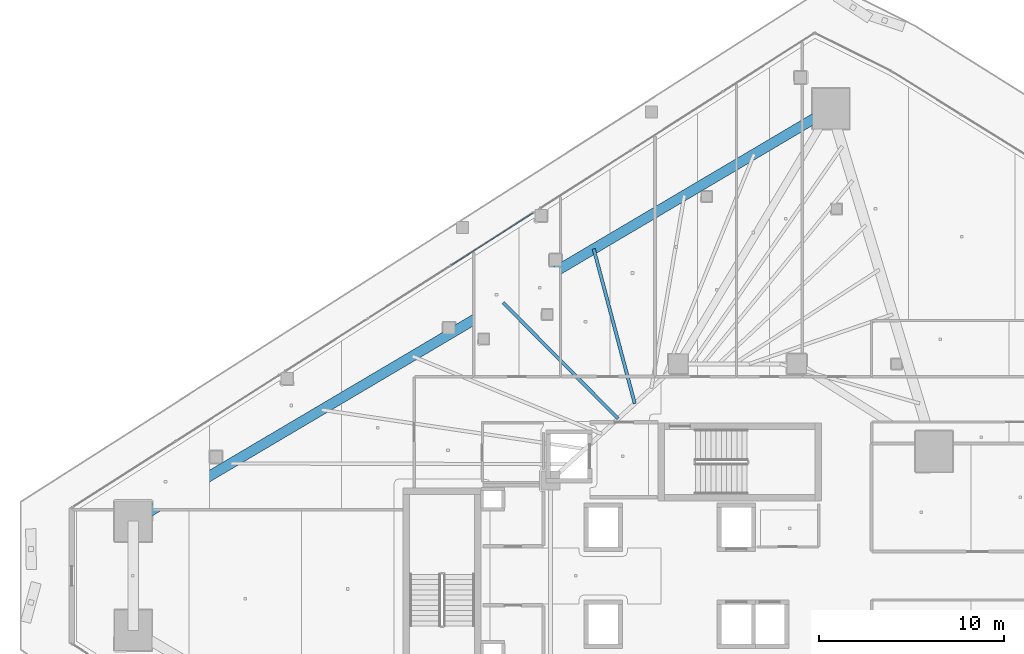
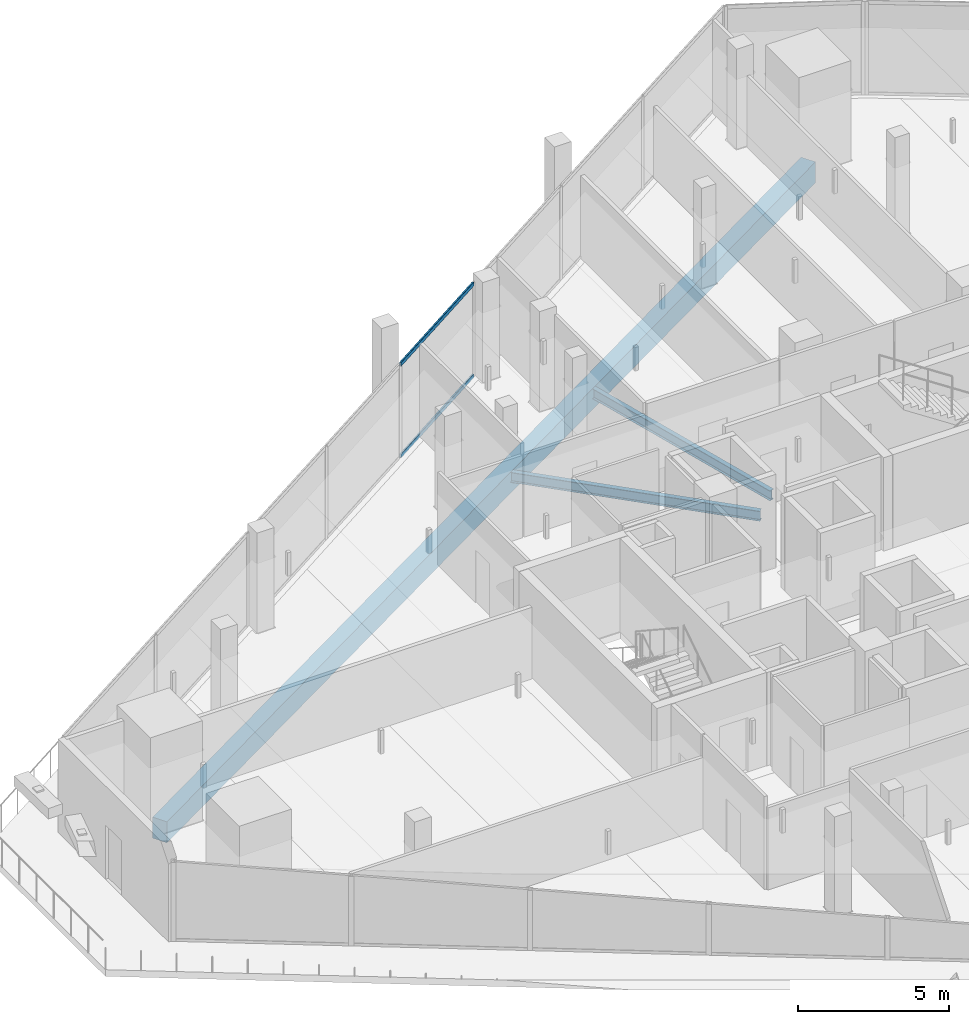
# One storey, part 17 of 39: 3 beams, 2 members, 1 element without a shape of its own.
"""IFC4 building model written with IfcOpenShell, lengths in metres."""

from ifc_helpers import new_model, si_unit, direction, frame, origin, origin_2d, place, context, subcontext, project, spatial, rectangle, hollow_rectangle, i_section, extrude, material, layer, layer_set, material_profile, profile_set, type_object, element, aggregate, save


model = new_model("IFC4")

# Units and contexts
model_context = context("Model", 3, precision=1e-05, world=origin(), true_north=direction((0.0, 1.0)))
body_context = subcontext(model_context, "Body", "Model", "MODEL_VIEW")
ifc_project = project(units=[si_unit("LENGTHUNIT", "METRE"), si_unit("AREAUNIT", "SQUARE_METRE"), si_unit("VOLUMEUNIT", "CUBIC_METRE"), si_unit("PLANEANGLEUNIT", "RADIAN"), si_unit("MASSUNIT", "GRAM", prefix="KILO")], contexts=[model_context])

# Site, building, storey
site_placement = place(None, origin())
site = spatial("IfcSite", under=ifc_project, at=site_placement, CompositionType="ELEMENT")
building_placement = place(site_placement, origin())
building = spatial("IfcBuilding", under=site, at=building_placement, Name="Qorvath Tower", CompositionType="ELEMENT")
storey_placement = place(building_placement, frame((0.0, 0.0, 162.449951171875)))
storey = spatial("IfcBuildingStorey", under=building, at=storey_placement, Name="L37", CompositionType="ELEMENT", Elevation=162.449951171875)

# Beams
ifc_material_1 = material(Name="Steel ASTM A992 Grade 50", Category="steel")
ifc_material_profile_1 = material_profile(ifc_material_1, i_section(OverallWidth=0.177978515625, OverallDepth=0.406005859375, WebThickness=0.0078125, FlangeThickness=0.0126953125, FilletRadius=0.010986328125, at=origin_2d()), Name="W16x40")
ifc_profile_set_1 = profile_set([ifc_material_profile_1], Name="Steel ASTM A992 Grade 50")
beam_type_1 = type_object("IfcBeamType", Name="BM-FJ3", PredefinedType="JOIST", material=ifc_profile_set_1)
beam_1_placement = place(storey_placement, frame((-26.843017578125, 8.489013671875, -0.47314453125), z_axis=(-0.70395121362, 0.710248328997, 0.0), x_axis=(-0.710248328997, -0.70395121362, 0.0)))
element("IfcBeam", 1, at=beam_1_placement, inside=storey, type_object=beam_type_1, Name="Composite Floor Joist NW4 L37", PredefinedType="JOIST", context=body_context, shape_type="SweptSolid", body=[
    extrude(i_section(OverallWidth=0.177978515625, OverallDepth=0.406005859375, WebThickness=0.0078125, FlangeThickness=0.0126953125, FilletRadius=0.010986328125, at=origin_2d()), origin(), (0.0, 0.0, 1.0), 8.839599609375),
])
beam_2_placement = place(storey_placement, frame((-25.946044921875, 9.30810546875, -0.47314453125), z_axis=(-0.256507909517, 0.966542131702, 0.0), x_axis=(-0.966542131702, -0.256507909517, 0.0)))
element("IfcBeam", 2, at=beam_2_placement, inside=storey, type_object=beam_type_1, Name="Composite Floor Joist NW5 L37", PredefinedType="JOIST", context=body_context, shape_type="SweptSolid", body=[
    extrude(i_section(OverallWidth=0.177978515625, OverallDepth=0.406005859375, WebThickness=0.0078125, FlangeThickness=0.0126953125, FilletRadius=0.010986328125, at=origin_2d()), origin(), (0.0, 0.0, 1.0), 8.64697265625),
])
ifc_material_2 = material(Name="Concrete C50/60", Category="concrete")
ifc_material_profile_2 = material_profile(ifc_material_2, rectangle(XDim=0.550048828125, YDim=0.85009765625, at=origin_2d()), Name="RCB 850x550")
ifc_profile_set_2 = profile_set([ifc_material_profile_2], Name="Concrete C50/60")
beam_type_2 = type_object("IfcBeamType", Name="BM-RCB2", PredefinedType="SPANDREL", material=ifc_profile_set_2)
beam_3_placement = place(storey_placement, frame((-15.34423828125, 25.24609375, -0.695068359375), z_axis=(-0.860775142889, -0.508985415689, 0.0), x_axis=(0.508985415689, -0.860775142889, 0.0)))
element("IfcBeam", 3, at=beam_3_placement, inside=storey, type_object=beam_type_2, Name="Perimeter Loggia Frame Beam MC6-MC1 L37", PredefinedType="SPANDREL", context=body_context, shape_type="SweptSolid", body=[
    extrude(rectangle(XDim=0.550048828125, YDim=0.85009765625, at=origin_2d()), origin(), (0.0, 0.0, 1.0), 43.8037109375),
])

# Curtain wall, members
ifc_material_3 = material(Name="Anodised aluminium and triple low-E glass", Category="aluminium")
ifc_layer = layer(ifc_material_3, 0.179931640625)
ifc_layer_set = layer_set([ifc_layer], Name="CW-SYS-3")
curtain_wall_type = type_object("IfcCurtainWallType", Name="CW-SYS-3", PredefinedType="NOTDEFINED", material=ifc_layer_set)
curtain_wall_placement = place(storey_placement, origin())
curtain_wall = element("IfcCurtainWall", 4, at=curtain_wall_placement, inside=storey, type_object=curtain_wall_type, Name="Curtain Wall CW-3 CW-T-L37-16.2", PredefinedType="NOTDEFINED")
ifc_material_4 = material(Name="Anodised aluminium 6063-T6", Category="aluminium")
ifc_material_profile_3 = material_profile(ifc_material_4, hollow_rectangle(XDim=0.06494140625, YDim=0.159912109375, WallThickness=0.00341796875, InnerFilletRadius=0.00341796875, OuterFilletRadius=0.007080078125, at=origin_2d()), Name="CWT 160x65")
ifc_profile_set_3 = profile_set([ifc_material_profile_3], Name="Anodised aluminium 6063-T6")
member_type = type_object("IfcMemberType", Name="CWT-160", PredefinedType="USERDEFINED", material=ifc_profile_set_3)
member_1_placement = place(storey_placement, frame((-31.440673828125, 19.607666015625, 0.032470703125), z_axis=(-0.842600505064, -0.538539124731, 0.0), x_axis=(0.538539124731, -0.842600505064, 0.0)))
member_1 = element("IfcMember", 5, at=member_1_placement, type_object=member_type, Name="CW-3 transom 1.1", ObjectType="TRANSOM", PredefinedType="USERDEFINED", context=body_context, shape_type="SweptSolid", body=[
    extrude(hollow_rectangle(XDim=0.06494140625, YDim=0.159912109375, WallThickness=0.00341796875, InnerFilletRadius=0.00341796875, OuterFilletRadius=0.007080078125, at=origin_2d()), origin(), (0.0, 0.0, 1.0), 5.23828125),
])
member_2_placement = place(storey_placement, frame((-31.440673828125, 19.607666015625, 3.74755859375), z_axis=(-0.842600505064, -0.538539124731, 0.0), x_axis=(0.538539124731, -0.842600505064, 0.0)))
member_2 = element("IfcMember", 6, at=member_2_placement, type_object=member_type, Name="CW-3 transom 1.2", ObjectType="TRANSOM", PredefinedType="USERDEFINED", context=body_context, shape_type="SweptSolid", body=[
    extrude(hollow_rectangle(XDim=0.06494140625, YDim=0.159912109375, WallThickness=0.00341796875, InnerFilletRadius=0.00341796875, OuterFilletRadius=0.007080078125, at=origin_2d()), origin(), (0.0, 0.0, 1.0), 5.23828125),
])
aggregate(curtain_wall, [member_1, member_2])

save(model, "model.ifc")
